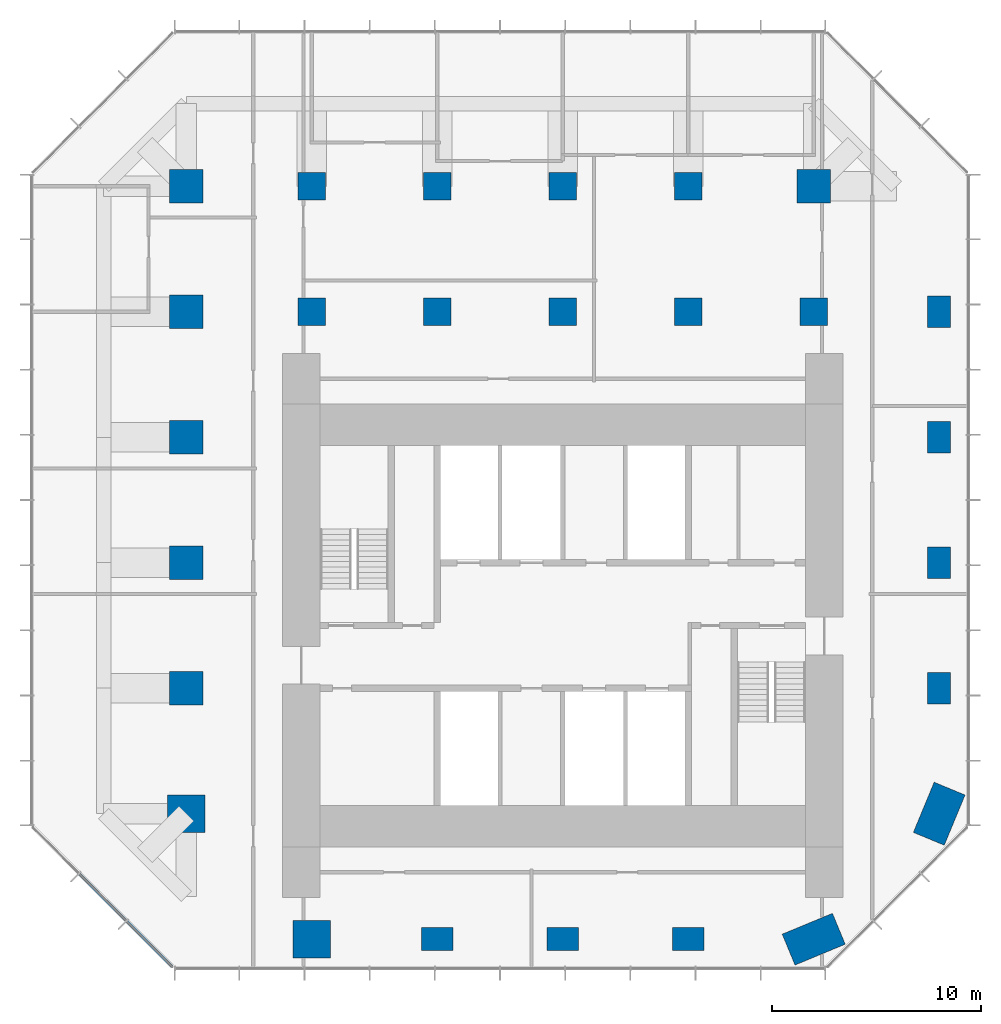
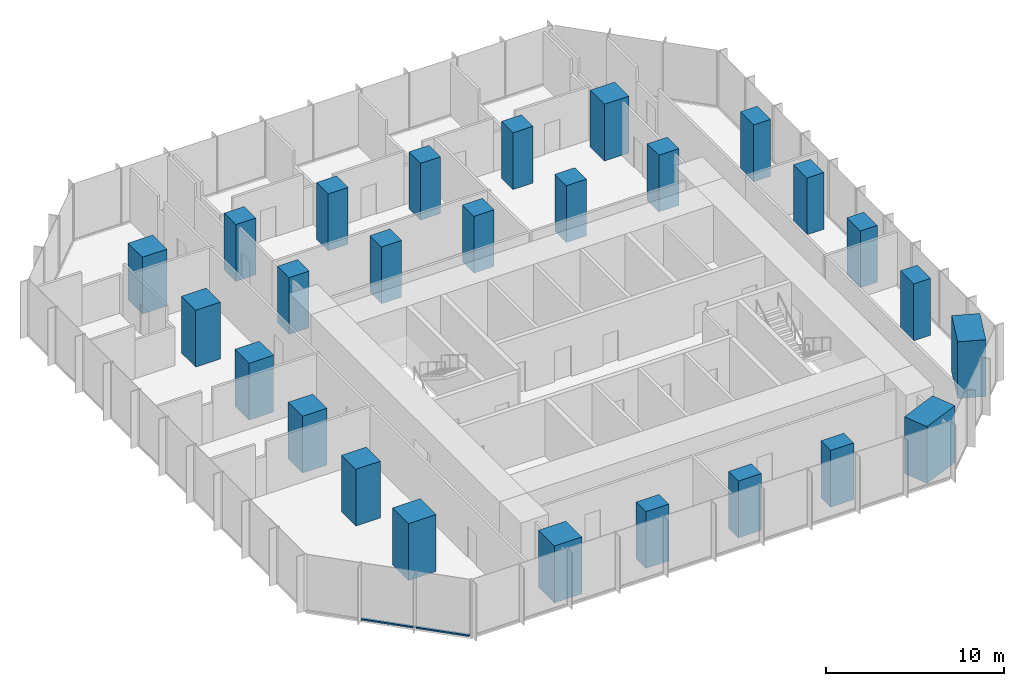
# One storey, part 1 of 11: 26 columns, 2 members, 1 element without a shape of its own.
"""IFC4 building model written with IfcOpenShell, lengths in metres."""

from ifc_helpers import new_model, si_unit, direction, frame, origin, origin_2d, place, context, subcontext, project, spatial, rectangle, extrude, material, layer, layer_set, material_profile, profile_set, type_object, element, aggregate, save


model = new_model("IFC4")

# Units and contexts
model_context = context("Model", 3, precision=1e-05, world=origin(), true_north=direction((0.0, 1.0)))
body_context = subcontext(model_context, "Body", "Model", "MODEL_VIEW")
ifc_project = project(units=[si_unit("LENGTHUNIT", "METRE"), si_unit("AREAUNIT", "SQUARE_METRE"), si_unit("VOLUMEUNIT", "CUBIC_METRE"), si_unit("PLANEANGLEUNIT", "RADIAN"), si_unit("MASSUNIT", "GRAM", prefix="KILO")], contexts=[model_context])

# Site, building, storey
site_placement = place(None, origin())
site = spatial("IfcSite", under=ifc_project, at=site_placement, CompositionType="ELEMENT")
building_placement = place(site_placement, origin())
building = spatial("IfcBuilding", under=site, at=building_placement, Name="Highveld Stack Headquarters", CompositionType="ELEMENT")
storey_placement = place(building_placement, frame((0.0, 0.0, 192.800048828125)))
storey = spatial("IfcBuildingStorey", under=building, at=storey_placement, Name="L47", CompositionType="ELEMENT", Elevation=192.800048828125)

# Columns
ifc_material_1 = material(Name="Concrete C60/75", Category="concrete")
ifc_material_profile_1 = material_profile(ifc_material_1, rectangle(XDim=1.300048828125, YDim=1.300048828125, at=origin_2d()), Name="RC 1300x1300")
ifc_profile_set_1 = profile_set([ifc_material_profile_1], Name="Concrete C60/75")
column_type_1 = type_object("IfcColumnType", Name="COLUMN RC 1300x1300 C60/75", PredefinedType="COLUMN", material=ifc_profile_set_1)
for number, where, z_axis, x_axis, name in (
    (1, (-6.0, 18.0, 0.0), (0.0, 0.0, 1.0), (1.0, 0.0, 0.0), "Column 5/H L47"),
    (2, (-6.0, 24.0, 0.0), (0.0, 0.0, 1.0), (1.0, 0.0, 0.0), "Column 5/J L47"),
    (3, (0.0, 18.0, 0.0), (0.0, 0.0, 1.0), (1.0, 0.0, 0.0), "Column 6/H L47"),
    (4, (0.0, 24.0, 0.0), (0.0, 0.0, 1.0), (1.0, 0.0, 0.0), "Column 6/J L47"),
    (5, (6.0, 18.0, 0.0), (0.0, 0.0, 1.0), (1.0, 0.0, 0.0), "Column 7/H L47"),
    (6, (6.0, 24.0, 0.0), (0.0, 0.0, 1.0), (1.0, 0.0, 0.0), "Column 7/J L47"),
    (7, (12.0, 18.0, 0.0), (0.0, 0.0, 1.0), (1.0, 0.0, 0.0), "Column 8/H L47"),
    (8, (12.0, 24.0, 0.0), (0.0, 0.0, 1.0), (1.0, 0.0, 0.0), "Column 8/J L47"),
    (9, (18.0, 18.0, 0.0), (0.0, 0.0, 1.0), (1.0, 0.0, 0.0), "Column 9/H L47"),
):
    element("IfcColumn", number, at=place(storey_placement, frame(where, z_axis=z_axis, x_axis=x_axis)), inside=storey, type_object=column_type_1, Name=name, PredefinedType="COLUMN", context=body_context, shape_type="SweptSolid", body=[
        extrude(rectangle(XDim=1.300048828125, YDim=1.300048828125, at=origin_2d()), origin(), (0.0, 0.0, 1.0), 3.89990234375),
    ])
ifc_material_2 = material(Name="Concrete C60/75", Category="concrete")
ifc_material_profile_2 = material_profile(ifc_material_2, rectangle(XDim=1.5, YDim=1.10009765625, at=origin_2d()), Name="RC 1500x1100")
ifc_profile_set_2 = profile_set([ifc_material_profile_2], Name="Concrete C60/75")
column_type_2 = type_object("IfcColumnType", Name="COLUMN RC 1500x1100 C60/75", PredefinedType="COLUMN", material=ifc_profile_set_2)
for number, where, z_axis, x_axis, name in (
    (10, (0.0, -12.0, 0.0), (0.0, 0.0, 1.0), (1.0, 0.0, 0.0), "Column 6/C L47"),
    (11, (6.0, -12.0, 0.0), (0.0, 0.0, 1.0), (1.0, 0.0, 0.0), "Column 7/C L47"),
    (12, (12.0, -12.0, 0.0), (0.0, 0.0, 1.0), (1.0, 0.0, 0.0), "Column 8/C L47"),
    (13, (24.0, 0.0, 0.0), (0.0, 0.0, 1.0), (0.0, 1.0, 0.0), "Column 10/E L47"),
    (14, (24.0, 6.0, 0.0), (0.0, 0.0, 1.0), (0.0, 1.0, 0.0), "Column 10/F L47"),
    (15, (24.0, 12.0, 0.0), (0.0, 0.0, 1.0), (0.0, 1.0, 0.0), "Column 10/G L47"),
    (16, (24.0, 18.0, 0.0), (0.0, 0.0, 1.0), (0.0, 1.0, 0.0), "Column 10/H L47"),
):
    element("IfcColumn", number, at=place(storey_placement, frame(where, z_axis=z_axis, x_axis=x_axis)), inside=storey, type_object=column_type_2, Name=name, PredefinedType="COLUMN", context=body_context, shape_type="SweptSolid", body=[
        extrude(rectangle(XDim=1.5, YDim=1.10009765625, at=origin_2d()), origin(), (0.0, 0.0, 1.0), 3.89990234375),
    ])
ifc_material_3 = material(Name="Concrete C60/75", Category="concrete")
ifc_material_profile_3 = material_profile(ifc_material_3, rectangle(XDim=1.60009765625, YDim=1.60009765625, at=origin_2d()), Name="RC 1600x1600")
ifc_profile_set_3 = profile_set([ifc_material_profile_3], Name="Concrete C60/75")
column_type_3 = type_object("IfcColumnType", Name="COLUMN RC 1600x1600 C60/75", PredefinedType="COLUMN", material=ifc_profile_set_3)
for number, where, z_axis, x_axis, name in (
    (17, (-12.0, 0.0, 0.0), (0.0, 0.0, 1.0), (1.0, 0.0, 0.0), "Column 4/E L47"),
    (18, (-12.0, 6.0, 0.0), (0.0, 0.0, 1.0), (1.0, 0.0, 0.0), "Column 4/F L47"),
    (19, (-12.0, 12.0, 0.0), (0.0, 0.0, 1.0), (1.0, 0.0, 0.0), "Column 4/G L47"),
    (20, (-12.0, 18.0, 0.0), (0.0, 0.0, 1.0), (1.0, 0.0, 0.0), "Column 4/H L47"),
    (21, (-12.0, 24.0, 0.0), (0.0, 0.0, 1.0), (1.0, 0.0, 0.0), "Column 4/J L47"),
    (22, (18.0, 24.0, 0.0), (0.0, 0.0, 1.0), (1.0, 0.0, 0.0), "Column 9/J L47"),
):
    element("IfcColumn", number, at=place(storey_placement, frame(where, z_axis=z_axis, x_axis=x_axis)), inside=storey, type_object=column_type_3, Name=name, PredefinedType="COLUMN", context=body_context, shape_type="SweptSolid", body=[
        extrude(rectangle(XDim=1.60009765625, YDim=1.60009765625, at=origin_2d()), origin(), (0.0, 0.0, 1.0), 3.89990234375),
    ])
ifc_material_4 = material(Name="Concrete C60/75", Category="concrete")
ifc_material_profile_4 = material_profile(ifc_material_4, rectangle(XDim=1.800048828125, YDim=1.800048828125, at=origin_2d()), Name="RC 1800x1800")
ifc_profile_set_4 = profile_set([ifc_material_profile_4], Name="Concrete C60/75")
column_type_4 = type_object("IfcColumnType", Name="COLUMN RC 1800x1800 C60/75", PredefinedType="COLUMN", material=ifc_profile_set_4)
for number, where, z_axis, x_axis, name in (
    (23, (-12.0, -6.0, 0.0), (0.0, 0.0, 1.0), (1.0, 0.0, 0.0), "Column 4/D L47"),
    (24, (-6.0, -12.0, 0.0), (0.0, 0.0, 1.0), (1.0, 0.0, 0.0), "Column 5/C L47"),
):
    element("IfcColumn", number, at=place(storey_placement, frame(where, z_axis=z_axis, x_axis=x_axis)), inside=storey, type_object=column_type_4, Name=name, PredefinedType="COLUMN", context=body_context, shape_type="SweptSolid", body=[
        extrude(rectangle(XDim=1.800048828125, YDim=1.800048828125, at=origin_2d()), origin(), (0.0, 0.0, 1.0), 3.89990234375),
    ])
ifc_material_5 = material(Name="Concrete C60/75", Category="concrete")
ifc_material_profile_5 = material_profile(ifc_material_5, rectangle(XDim=2.60009765625, YDim=1.60009765625, at=origin_2d()), Name="RC 2600x1600")
ifc_profile_set_5 = profile_set([ifc_material_profile_5], Name="Concrete C60/75")
column_type_5 = type_object("IfcColumnType", Name="COLUMN RC 2600x1600 C60/75", PredefinedType="COLUMN", material=ifc_profile_set_5)
for number, where, z_axis, x_axis, name in (
    (25, (18.0, -12.0, 0.0), (0.0, 0.0, 1.0), (-0.923879532511, -0.382683432365, 0.0), "Column 9/C L47"),
    (26, (24.0, -6.0, 0.0), (0.0, 0.0, 1.0), (-0.382683432365, -0.923879532511, 0.0), "Column 10/D L47"),
):
    element("IfcColumn", number, at=place(storey_placement, frame(where, z_axis=z_axis, x_axis=x_axis)), inside=storey, type_object=column_type_5, Name=name, PredefinedType="COLUMN", context=body_context, shape_type="SweptSolid", body=[
        extrude(rectangle(XDim=2.60009765625, YDim=1.60009765625, at=origin_2d()), origin(), (0.0, 0.0, 1.0), 3.89990234375),
    ])

# Curtain wall, members
ifc_material_6 = material(Name="Aluminium bronze anodised", Category="aluminium")
ifc_layer = layer(ifc_material_6, 0.199951171875)
ifc_layer_set = layer_set([ifc_layer], Name="Aluminium bronze anodised")
curtain_wall_type = type_object("IfcCurtainWallType", Name="CW2 TOWER CHAMFER UNITISED CURTAIN WALL", PredefinedType="NOTDEFINED", material=ifc_layer_set)
curtain_wall_placement = place(storey_placement, origin())
curtain_wall = element("IfcCurtainWall", 27, at=curtain_wall_placement, inside=storey, type_object=curtain_wall_type, Name="Curtain wall CW2 L47 SW", PredefinedType="NOTDEFINED")
ifc_material_7 = material(Name="Aluminium bronze anodised", Category="aluminium")
ifc_material_profile_6 = material_profile(ifc_material_7, rectangle(XDim=0.14990234375, YDim=0.10009765625, at=origin_2d()), Name="CW2 TRANSOM 150x100")
ifc_profile_set_6 = profile_set([ifc_material_profile_6], Name="Aluminium bronze anodised")
member_type = type_object("IfcMemberType", Name="CW2 STACK TRANSOM 150x100", PredefinedType="USERDEFINED", material=ifc_profile_set_6)
member_1_placement = place(storey_placement, frame((-17.103759765625, -8.876220703125, 0.050048828125), z_axis=(0.707106781187, -0.707106781187, 0.0), x_axis=(0.707106781187, 0.707106781187, 0.0)))
member_1 = element("IfcMember", 28, at=member_1_placement, type_object=member_type, Name="CW2 transom L47 2.1", ObjectType="TRANSOM", PredefinedType="USERDEFINED", context=body_context, shape_type="SweptSolid", body=[
    extrude(rectangle(XDim=0.14990234375, YDim=0.10009765625, at=origin_2d()), origin(), (0.0, 0.0, 1.0), 3.150146484375),
])
member_2_placement = place(storey_placement, frame((-14.830322265625, -11.149658203125, 0.050048828125), z_axis=(0.707106781187, -0.707106781187, 0.0), x_axis=(0.707106781187, 0.707106781187, 0.0)))
member_2 = element("IfcMember", 29, at=member_2_placement, type_object=member_type, Name="CW2 transom L47 3.1", ObjectType="TRANSOM", PredefinedType="USERDEFINED", context=body_context, shape_type="SweptSolid", body=[
    extrude(rectangle(XDim=0.14990234375, YDim=0.10009765625, at=origin_2d()), origin(), (0.0, 0.0, 1.0), 3.08251953125),
])
aggregate(curtain_wall, [member_1, member_2])

save(model, "model.ifc")
